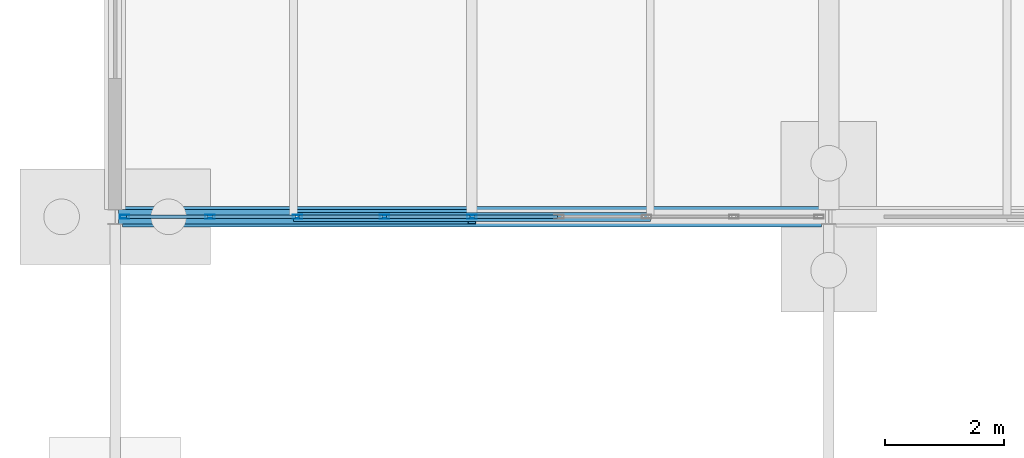
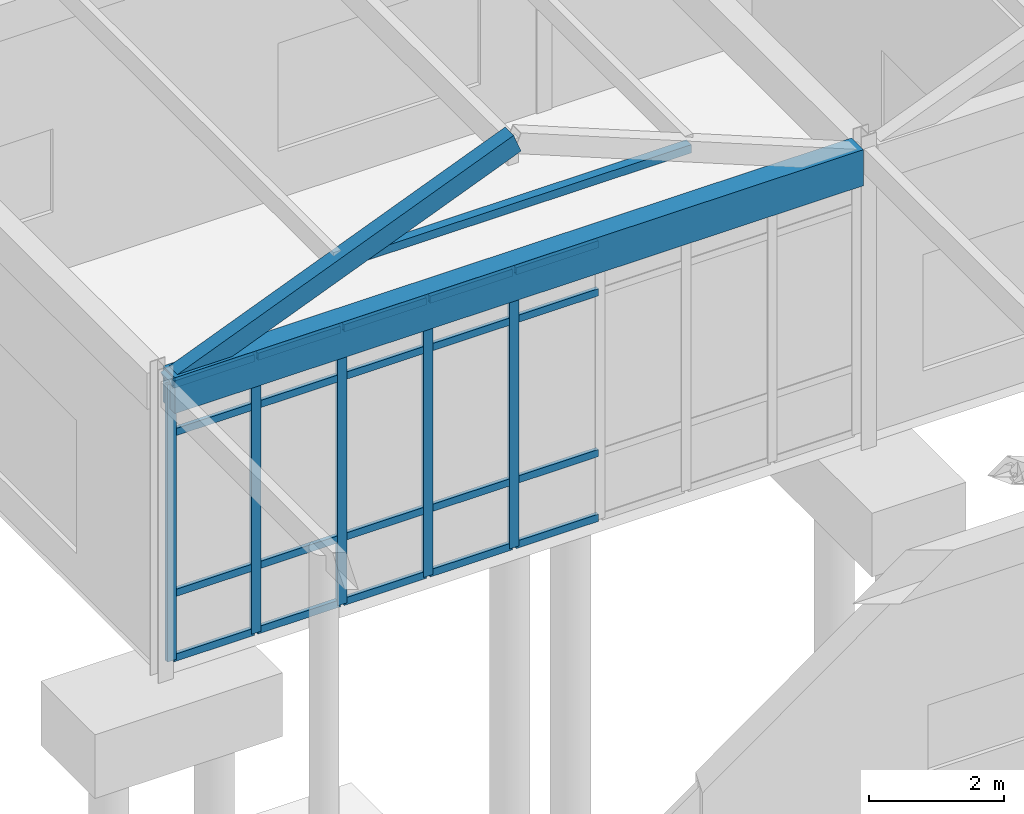
# One storey, part 62 of 188: 27 members, 1 beam, 1 element without a shape of its own.
"""IFC4 building model written with IfcOpenShell, lengths in metres."""

from ifc_helpers import new_model, si_unit, direction, frame, origin, origin_2d, place, context, subcontext, project, spatial, rectangle, hollow_rectangle, extrude, material, layer, layer_set, material_profile, profile_set, type_object, element, aggregate, save


model = new_model("IFC4")

# Units and contexts
model_context = context("Model", 3, precision=1e-05, world=origin(), true_north=direction((0.0, 1.0)))
body_context = subcontext(model_context, "Body", "Model", "MODEL_VIEW")
ifc_project = project(units=[si_unit("LENGTHUNIT", "METRE"), si_unit("AREAUNIT", "SQUARE_METRE"), si_unit("VOLUMEUNIT", "CUBIC_METRE"), si_unit("PLANEANGLEUNIT", "RADIAN"), si_unit("MASSUNIT", "GRAM", prefix="KILO")], contexts=[model_context])

# Site, building, storey
site_placement = place(None, origin())
site = spatial("IfcSite", under=ifc_project, at=site_placement, CompositionType="ELEMENT")
building_placement = place(site_placement, origin())
building = spatial("IfcBuilding", under=site, at=building_placement, Name="Pandanus Reach Market Hall", CompositionType="ELEMENT")
storey_placement = place(building_placement, origin())
storey = spatial("IfcBuildingStorey", under=building, at=storey_placement, Name="L00", CompositionType="ELEMENT", Elevation=0.0)

# Beam
ifc_material_1 = material(Name="Concrete N40 (40 MPa)", Category="concrete")
ifc_material_profile_1 = material_profile(ifc_material_1, rectangle(XDim=0.35009765625, YDim=0.64990234375, at=origin_2d()), Name="RC350x650", Category="LoadBearing")
ifc_profile_set_1 = profile_set([ifc_material_profile_1], Name="Concrete N40 (40 MPa)")
beam_type = type_object("IfcBeamType", Name="BM-RC350-E", PredefinedType="SPANDREL", material=ifc_profile_set_1)
beam_placement = place(storey_placement, frame((0.125, 76.800048828125, 4.8798828125), z_axis=(1.0, 0.0, 0.0), x_axis=(0.0, 1.0, 0.0)))
element("IfcBeam", 1, at=beam_placement, inside=storey, type_object=beam_type, Name="Framing beam BM-RC350-E L00.1174", PredefinedType="SPANDREL", context=body_context, shape_type="SweptSolid", body=[
    extrude(rectangle(XDim=0.35009765625, YDim=0.64990234375, at=origin_2d()), origin(), (0.0, 0.0, 1.0), 11.75),
])

# Member
ifc_material_2 = material(Name="Steel Grade 350 (350 MPa)", Category="steel")
ifc_material_profile_2 = material_profile(ifc_material_2, hollow_rectangle(XDim=0.14990234375, YDim=0.14990234375, WallThickness=0.009033203125, at=origin_2d()), Name="150x150x9.0SHS", Category="LoadBearing")
ifc_profile_set_2 = profile_set([ifc_material_profile_2], Name="Steel Grade 350 (350 MPa)")
member_type_1 = type_object("IfcMemberType", Name="CL-SHS150-I", PredefinedType="COLLAR", material=ifc_profile_set_2)
member_1_placement = place(storey_placement, frame((3.0, 76.800048828125, 6.166748046875), z_axis=(1.0, 0.0, 0.0), x_axis=(0.0, 1.0, 0.0)))
element("IfcMember", 2, at=member_1_placement, inside=storey, type_object=member_type_1, Name="Gable collar tie R3.B1", PredefinedType="COLLAR", context=body_context, shape_type="SweptSolid", body=[
    extrude(hollow_rectangle(XDim=0.14990234375, YDim=0.14990234375, WallThickness=0.009033203125, at=origin_2d()), origin(), (0.0, 0.0, 1.0), 6.0),
])

# Curtain wall, members
ifc_material_3 = material(Name="Bronze anodised aluminium and low-E glass", Category="aluminium")
ifc_layer = layer(ifc_material_3, 0.159912109375, Name="CW-07")
ifc_layer_set = layer_set([ifc_layer], Name="Bronze anodised aluminium and low-E glass")
curtain_wall_type = type_object("IfcCurtainWallType", Name="CW-07", PredefinedType="NOTDEFINED", material=ifc_layer_set)
curtain_wall_placement = place(storey_placement, origin())
curtain_wall = element("IfcCurtainWall", 3, at=curtain_wall_placement, inside=storey, type_object=curtain_wall_type, Name="Glazed curtain wall CW-07 CW-0044", PredefinedType="NOTDEFINED")
ifc_material_4 = material(Name="Bronze anodised aluminium", Category="aluminium")
ifc_material_profile_3 = material_profile(ifc_material_4, hollow_rectangle(XDim=0.06494140625, YDim=0.159912109375, WallThickness=0.00390625, at=origin_2d()), Name="ALU65x160", Category="LoadBearing")
ifc_profile_set_3 = profile_set([ifc_material_profile_3], Name="Bronze anodised aluminium")
member_type_2 = type_object("IfcMemberType", Name="CW-M1", PredefinedType="MULLION", material=ifc_profile_set_3)
member_2_placement = place(storey_placement, frame((0.159423828125, 76.800048828125, 0.0), z_axis=(0.0, 0.0, 1.0), x_axis=(0.0, 1.0, 0.0)))
member_2 = element("IfcMember", 4, at=member_2_placement, type_object=member_type_2, Name="CW-07 mullion 1", PredefinedType="MULLION", context=body_context, shape_type="SweptSolid", body=[
    extrude(hollow_rectangle(XDim=0.06494140625, YDim=0.159912109375, WallThickness=0.00390625, at=origin_2d()), origin(), (0.0, 0.0, 1.0), 5.0),
])
member_3_placement = place(storey_placement, frame((1.59521484375, 76.800048828125, 0.0), z_axis=(0.0, 0.0, 1.0), x_axis=(0.0, 1.0, 0.0)))
member_3 = element("IfcMember", 5, at=member_3_placement, type_object=member_type_2, Name="CW-07 mullion 2", PredefinedType="MULLION", context=body_context, shape_type="SweptSolid", body=[
    extrude(hollow_rectangle(XDim=0.06494140625, YDim=0.159912109375, WallThickness=0.00390625, at=origin_2d()), origin(), (0.0, 0.0, 1.0), 5.0),
])
member_4_placement = place(storey_placement, frame((3.0634765625, 76.800048828125, 0.0), z_axis=(0.0, 0.0, 1.0), x_axis=(0.0, 1.0, 0.0)))
member_4 = element("IfcMember", 6, at=member_4_placement, type_object=member_type_2, Name="CW-07 mullion 3", PredefinedType="MULLION", context=body_context, shape_type="SweptSolid", body=[
    extrude(hollow_rectangle(XDim=0.06494140625, YDim=0.159912109375, WallThickness=0.00390625, at=origin_2d()), origin(), (0.0, 0.0, 1.0), 5.0),
])
member_5_placement = place(storey_placement, frame((4.53173828125, 76.800048828125, 0.0), z_axis=(0.0, 0.0, 1.0), x_axis=(0.0, 1.0, 0.0)))
member_5 = element("IfcMember", 7, at=member_5_placement, type_object=member_type_2, Name="CW-07 mullion 4", PredefinedType="MULLION", context=body_context, shape_type="SweptSolid", body=[
    extrude(hollow_rectangle(XDim=0.06494140625, YDim=0.159912109375, WallThickness=0.00390625, at=origin_2d()), origin(), (0.0, 0.0, 1.0), 5.0),
])
member_6_placement = place(storey_placement, frame((6.0, 76.800048828125, 0.0), z_axis=(0.0, 0.0, 1.0), x_axis=(0.0, 1.0, 0.0)))
member_6 = element("IfcMember", 8, at=member_6_placement, type_object=member_type_2, Name="CW-07 mullion 5", PredefinedType="MULLION", context=body_context, shape_type="SweptSolid", body=[
    extrude(hollow_rectangle(XDim=0.06494140625, YDim=0.159912109375, WallThickness=0.00390625, at=origin_2d()), origin(), (0.0, 0.0, 1.0), 5.0),
])
ifc_material_profile_4 = material_profile(ifc_material_4, hollow_rectangle(XDim=0.06494140625, YDim=0.1298828125, WallThickness=0.00390625, at=origin_2d()), Name="ALU65x130", Category="LoadBearing")
ifc_profile_set_4 = profile_set([ifc_material_profile_4], Name="Bronze anodised aluminium")
member_type_3 = type_object("IfcMemberType", Name="CW-T1", PredefinedType="USERDEFINED", material=ifc_profile_set_4)
member_7_placement = place(storey_placement, frame((0.19189453125, 76.800048828125, 0.032470703125), z_axis=(1.0, 0.0, 0.0), x_axis=(0.0, 1.0, 0.0)))
member_7 = element("IfcMember", 9, at=member_7_placement, type_object=member_type_3, Name="CW-07 transom 1.1", ObjectType="TRANSOM", PredefinedType="USERDEFINED", context=body_context, shape_type="SweptSolid", body=[
    extrude(hollow_rectangle(XDim=0.06494140625, YDim=0.1298828125, WallThickness=0.00390625, at=origin_2d()), origin(), (0.0, 0.0, 1.0), 1.370849609375),
])
member_8_placement = place(storey_placement, frame((0.19189453125, 76.800048828125, 1.199951171875), z_axis=(1.0, 0.0, 0.0), x_axis=(0.0, 1.0, 0.0)))
member_8 = element("IfcMember", 10, at=member_8_placement, type_object=member_type_3, Name="CW-07 transom 1.2", ObjectType="TRANSOM", PredefinedType="USERDEFINED", context=body_context, shape_type="SweptSolid", body=[
    extrude(hollow_rectangle(XDim=0.06494140625, YDim=0.1298828125, WallThickness=0.00390625, at=origin_2d()), origin(), (0.0, 0.0, 1.0), 1.370849609375),
])
member_9_placement = place(storey_placement, frame((0.19189453125, 76.800048828125, 4.10009765625), z_axis=(1.0, 0.0, 0.0), x_axis=(0.0, 1.0, 0.0)))
member_9 = element("IfcMember", 11, at=member_9_placement, type_object=member_type_3, Name="CW-07 transom 1.3", ObjectType="TRANSOM", PredefinedType="USERDEFINED", context=body_context, shape_type="SweptSolid", body=[
    extrude(hollow_rectangle(XDim=0.06494140625, YDim=0.1298828125, WallThickness=0.00390625, at=origin_2d()), origin(), (0.0, 0.0, 1.0), 1.370849609375),
])
member_10_placement = place(storey_placement, frame((0.19189453125, 76.800048828125, 4.967529296875), z_axis=(1.0, 0.0, 0.0), x_axis=(0.0, 1.0, 0.0)))
member_10 = element("IfcMember", 12, at=member_10_placement, type_object=member_type_3, Name="CW-07 transom 1.4", ObjectType="TRANSOM", PredefinedType="USERDEFINED", context=body_context, shape_type="SweptSolid", body=[
    extrude(hollow_rectangle(XDim=0.06494140625, YDim=0.1298828125, WallThickness=0.00390625, at=origin_2d()), origin(), (0.0, 0.0, 1.0), 1.370849609375),
])
member_11_placement = place(storey_placement, frame((1.627685546875, 76.800048828125, 0.032470703125), z_axis=(1.0, 0.0, 0.0), x_axis=(0.0, 1.0, 0.0)))
member_11 = element("IfcMember", 13, at=member_11_placement, type_object=member_type_3, Name="CW-07 transom 2.1", ObjectType="TRANSOM", PredefinedType="USERDEFINED", context=body_context, shape_type="SweptSolid", body=[
    extrude(hollow_rectangle(XDim=0.06494140625, YDim=0.1298828125, WallThickness=0.00390625, at=origin_2d()), origin(), (0.0, 0.0, 1.0), 1.4033203125),
])
member_12_placement = place(storey_placement, frame((1.627685546875, 76.800048828125, 1.199951171875), z_axis=(1.0, 0.0, 0.0), x_axis=(0.0, 1.0, 0.0)))
member_12 = element("IfcMember", 14, at=member_12_placement, type_object=member_type_3, Name="CW-07 transom 2.2", ObjectType="TRANSOM", PredefinedType="USERDEFINED", context=body_context, shape_type="SweptSolid", body=[
    extrude(hollow_rectangle(XDim=0.06494140625, YDim=0.1298828125, WallThickness=0.00390625, at=origin_2d()), origin(), (0.0, 0.0, 1.0), 1.4033203125),
])
member_13_placement = place(storey_placement, frame((1.627685546875, 76.800048828125, 4.10009765625), z_axis=(1.0, 0.0, 0.0), x_axis=(0.0, 1.0, 0.0)))
member_13 = element("IfcMember", 15, at=member_13_placement, type_object=member_type_3, Name="CW-07 transom 2.3", ObjectType="TRANSOM", PredefinedType="USERDEFINED", context=body_context, shape_type="SweptSolid", body=[
    extrude(hollow_rectangle(XDim=0.06494140625, YDim=0.1298828125, WallThickness=0.00390625, at=origin_2d()), origin(), (0.0, 0.0, 1.0), 1.4033203125),
])
member_14_placement = place(storey_placement, frame((1.627685546875, 76.800048828125, 4.967529296875), z_axis=(1.0, 0.0, 0.0), x_axis=(0.0, 1.0, 0.0)))
member_14 = element("IfcMember", 16, at=member_14_placement, type_object=member_type_3, Name="CW-07 transom 2.4", ObjectType="TRANSOM", PredefinedType="USERDEFINED", context=body_context, shape_type="SweptSolid", body=[
    extrude(hollow_rectangle(XDim=0.06494140625, YDim=0.1298828125, WallThickness=0.00390625, at=origin_2d()), origin(), (0.0, 0.0, 1.0), 1.4033203125),
])
member_15_placement = place(storey_placement, frame((3.095947265625, 76.800048828125, 0.032470703125), z_axis=(1.0, 0.0, 0.0), x_axis=(0.0, 1.0, 0.0)))
member_15 = element("IfcMember", 17, at=member_15_placement, type_object=member_type_3, Name="CW-07 transom 3.1", ObjectType="TRANSOM", PredefinedType="USERDEFINED", context=body_context, shape_type="SweptSolid", body=[
    extrude(hollow_rectangle(XDim=0.06494140625, YDim=0.1298828125, WallThickness=0.00390625, at=origin_2d()), origin(), (0.0, 0.0, 1.0), 1.4033203125),
])
member_16_placement = place(storey_placement, frame((3.095947265625, 76.800048828125, 1.199951171875), z_axis=(1.0, 0.0, 0.0), x_axis=(0.0, 1.0, 0.0)))
member_16 = element("IfcMember", 18, at=member_16_placement, type_object=member_type_3, Name="CW-07 transom 3.2", ObjectType="TRANSOM", PredefinedType="USERDEFINED", context=body_context, shape_type="SweptSolid", body=[
    extrude(hollow_rectangle(XDim=0.06494140625, YDim=0.1298828125, WallThickness=0.00390625, at=origin_2d()), origin(), (0.0, 0.0, 1.0), 1.4033203125),
])
member_17_placement = place(storey_placement, frame((3.095947265625, 76.800048828125, 4.10009765625), z_axis=(1.0, 0.0, 0.0), x_axis=(0.0, 1.0, 0.0)))
member_17 = element("IfcMember", 19, at=member_17_placement, type_object=member_type_3, Name="CW-07 transom 3.3", ObjectType="TRANSOM", PredefinedType="USERDEFINED", context=body_context, shape_type="SweptSolid", body=[
    extrude(hollow_rectangle(XDim=0.06494140625, YDim=0.1298828125, WallThickness=0.00390625, at=origin_2d()), origin(), (0.0, 0.0, 1.0), 1.4033203125),
])
member_18_placement = place(storey_placement, frame((3.095947265625, 76.800048828125, 4.967529296875), z_axis=(1.0, 0.0, 0.0), x_axis=(0.0, 1.0, 0.0)))
member_18 = element("IfcMember", 20, at=member_18_placement, type_object=member_type_3, Name="CW-07 transom 3.4", ObjectType="TRANSOM", PredefinedType="USERDEFINED", context=body_context, shape_type="SweptSolid", body=[
    extrude(hollow_rectangle(XDim=0.06494140625, YDim=0.1298828125, WallThickness=0.00390625, at=origin_2d()), origin(), (0.0, 0.0, 1.0), 1.4033203125),
])
member_19_placement = place(storey_placement, frame((4.564208984375, 76.800048828125, 0.032470703125), z_axis=(1.0, 0.0, 0.0), x_axis=(0.0, 1.0, 0.0)))
member_19 = element("IfcMember", 21, at=member_19_placement, type_object=member_type_3, Name="CW-07 transom 4.1", ObjectType="TRANSOM", PredefinedType="USERDEFINED", context=body_context, shape_type="SweptSolid", body=[
    extrude(hollow_rectangle(XDim=0.06494140625, YDim=0.1298828125, WallThickness=0.00390625, at=origin_2d()), origin(), (0.0, 0.0, 1.0), 1.4033203125),
])
member_20_placement = place(storey_placement, frame((4.564208984375, 76.800048828125, 1.199951171875), z_axis=(1.0, 0.0, 0.0), x_axis=(0.0, 1.0, 0.0)))
member_20 = element("IfcMember", 22, at=member_20_placement, type_object=member_type_3, Name="CW-07 transom 4.2", ObjectType="TRANSOM", PredefinedType="USERDEFINED", context=body_context, shape_type="SweptSolid", body=[
    extrude(hollow_rectangle(XDim=0.06494140625, YDim=0.1298828125, WallThickness=0.00390625, at=origin_2d()), origin(), (0.0, 0.0, 1.0), 1.4033203125),
])
member_21_placement = place(storey_placement, frame((4.564208984375, 76.800048828125, 4.10009765625), z_axis=(1.0, 0.0, 0.0), x_axis=(0.0, 1.0, 0.0)))
member_21 = element("IfcMember", 23, at=member_21_placement, type_object=member_type_3, Name="CW-07 transom 4.3", ObjectType="TRANSOM", PredefinedType="USERDEFINED", context=body_context, shape_type="SweptSolid", body=[
    extrude(hollow_rectangle(XDim=0.06494140625, YDim=0.1298828125, WallThickness=0.00390625, at=origin_2d()), origin(), (0.0, 0.0, 1.0), 1.4033203125),
])
member_22_placement = place(storey_placement, frame((4.564208984375, 76.800048828125, 4.967529296875), z_axis=(1.0, 0.0, 0.0), x_axis=(0.0, 1.0, 0.0)))
member_22 = element("IfcMember", 24, at=member_22_placement, type_object=member_type_3, Name="CW-07 transom 4.4", ObjectType="TRANSOM", PredefinedType="USERDEFINED", context=body_context, shape_type="SweptSolid", body=[
    extrude(hollow_rectangle(XDim=0.06494140625, YDim=0.1298828125, WallThickness=0.00390625, at=origin_2d()), origin(), (0.0, 0.0, 1.0), 1.4033203125),
])
member_23_placement = place(storey_placement, frame((6.032470703125, 76.800048828125, 0.032470703125), z_axis=(1.0, 0.0, 0.0), x_axis=(0.0, 1.0, 0.0)))
member_23 = element("IfcMember", 25, at=member_23_placement, type_object=member_type_3, Name="CW-07 transom 5.1", ObjectType="TRANSOM", PredefinedType="USERDEFINED", context=body_context, shape_type="SweptSolid", body=[
    extrude(hollow_rectangle(XDim=0.06494140625, YDim=0.1298828125, WallThickness=0.00390625, at=origin_2d()), origin(), (0.0, 0.0, 1.0), 1.4033203125),
])
member_24_placement = place(storey_placement, frame((6.032470703125, 76.800048828125, 1.199951171875), z_axis=(1.0, 0.0, 0.0), x_axis=(0.0, 1.0, 0.0)))
member_24 = element("IfcMember", 26, at=member_24_placement, type_object=member_type_3, Name="CW-07 transom 5.2", ObjectType="TRANSOM", PredefinedType="USERDEFINED", context=body_context, shape_type="SweptSolid", body=[
    extrude(hollow_rectangle(XDim=0.06494140625, YDim=0.1298828125, WallThickness=0.00390625, at=origin_2d()), origin(), (0.0, 0.0, 1.0), 1.4033203125),
])
member_25_placement = place(storey_placement, frame((6.032470703125, 76.800048828125, 4.10009765625), z_axis=(1.0, 0.0, 0.0), x_axis=(0.0, 1.0, 0.0)))
member_25 = element("IfcMember", 27, at=member_25_placement, type_object=member_type_3, Name="CW-07 transom 5.3", ObjectType="TRANSOM", PredefinedType="USERDEFINED", context=body_context, shape_type="SweptSolid", body=[
    extrude(hollow_rectangle(XDim=0.06494140625, YDim=0.1298828125, WallThickness=0.00390625, at=origin_2d()), origin(), (0.0, 0.0, 1.0), 1.4033203125),
])
member_26_placement = place(storey_placement, frame((6.032470703125, 76.800048828125, 4.967529296875), z_axis=(1.0, 0.0, 0.0), x_axis=(0.0, 1.0, 0.0)))
member_26 = element("IfcMember", 28, at=member_26_placement, type_object=member_type_3, Name="CW-07 transom 5.4", ObjectType="TRANSOM", PredefinedType="USERDEFINED", context=body_context, shape_type="SweptSolid", body=[
    extrude(hollow_rectangle(XDim=0.06494140625, YDim=0.1298828125, WallThickness=0.00390625, at=origin_2d()), origin(), (0.0, 0.0, 1.0), 1.4033203125),
])
aggregate(curtain_wall, [member_2, member_3, member_4, member_5, member_6, member_7, member_8, member_9, member_10, member_11, member_12, member_13, member_14, member_15, member_16, member_17, member_18, member_19, member_20, member_21, member_22, member_23, member_24, member_25, member_26])

# Member
ifc_material_profile_5 = material_profile(ifc_material_2, hollow_rectangle(XDim=0.25, YDim=0.35009765625, WallThickness=0.012451171875, at=origin_2d()), Name="350x250x12.5RHS", Category="LoadBearing")
ifc_profile_set_5 = profile_set([ifc_material_profile_5], Name="Steel Grade 350 (350 MPa)")
member_type_4 = type_object("IfcMemberType", Name="RF-RHS350-E", PredefinedType="RAFTER", material=ifc_profile_set_5)
member_27_placement = place(storey_placement, frame((0.1201171875, 76.800048828125, 4.985107421875), z_axis=(0.927845665363, 0.0, 0.372964369971), x_axis=(0.0, 1.0, 0.0)))
element("IfcMember", 29, at=member_27_placement, inside=storey, type_object=member_type_4, Name="Steep gable rafter R3.B1W", PredefinedType="RAFTER", context=body_context, shape_type="SweptSolid", body=[
    extrude(hollow_rectangle(XDim=0.25, YDim=0.35009765625, WallThickness=0.012451171875, at=origin_2d()), origin(), (0.0, 0.0, 1.0), 6.337158203125),
])

save(model, "model.ifc")
